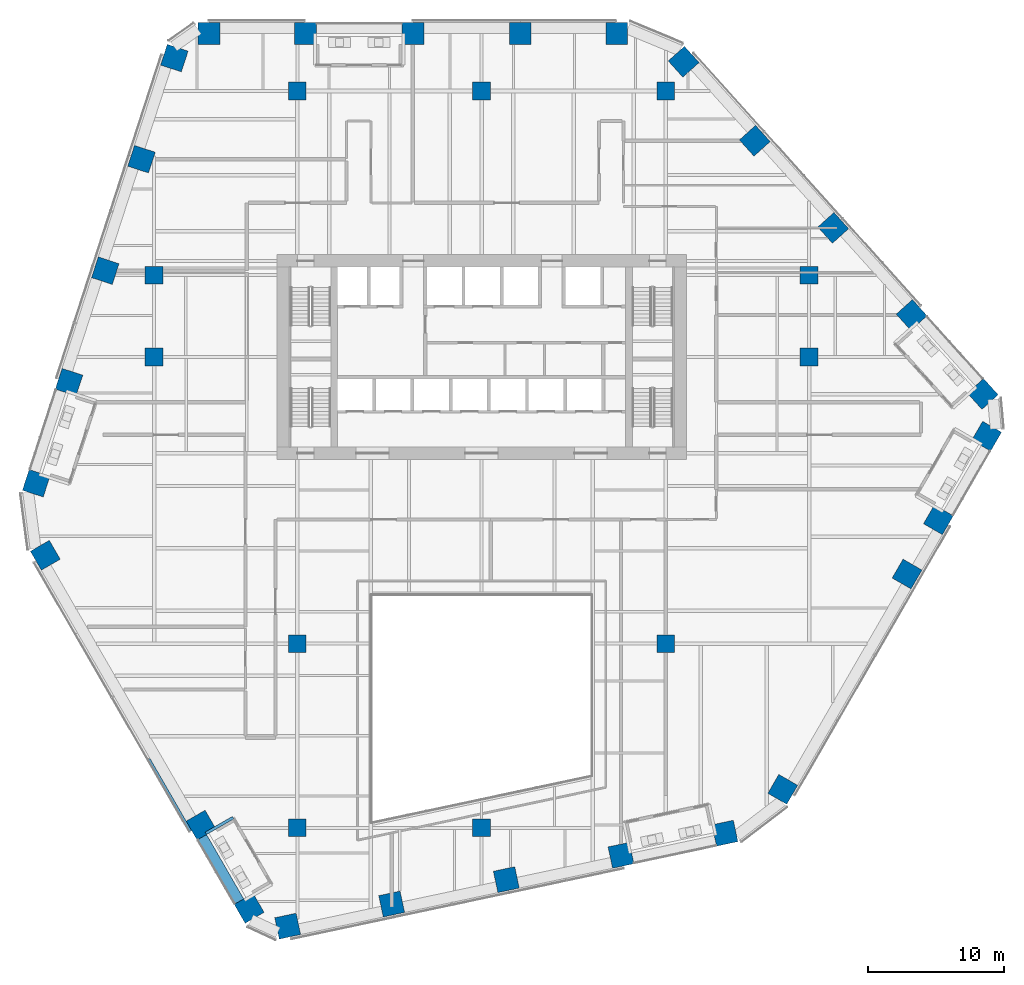
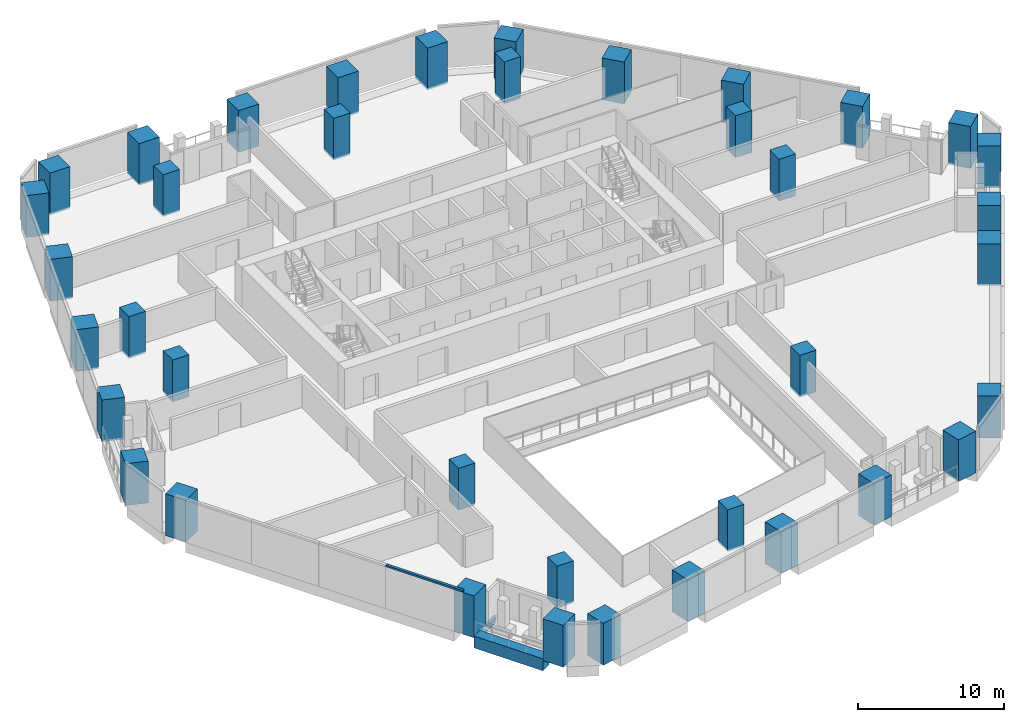
# One storey, part 1 of 31: 38 columns, 2 beams, 1 member, 1 element without a shape of its own.
"""IFC4 building model written with IfcOpenShell, lengths in metres."""

import ifcopenshell
import ifcopenshell.guid

model = None  # the IFC model being written
_history = None  # IfcOwnerHistory: only IFC2X3 demands one
_inside = {}  # id of a spatial element -> (the spatial element, [elements in it])
_under = {}  # id of a project, library or spatial element -> (it, [spatial elements below it])
_declared = {}  # id of a project -> (the project, [libraries it declares])
_typed = {}  # id of a type object -> (the type object, [elements of that type])
_made_of = {}  # id of a material, layer set ... -> (it, [elements and type objects made of it])


def new_model(schema):
    """Start an empty IFC model of exactly this schema.

    Asked for "IFC4X3", IfcOpenShell would pick the latest addendum, in which some entities
    have other attributes; the version numbers below select the first issue.
    IFC2X3 requires an IfcOwnerHistory on every rooted entity: one is made here for all.
    """
    global model, _history
    if schema == "IFC4X3":
        model = ifcopenshell.file(schema_version=(4, 3, 0, 0))
    else:
        model = ifcopenshell.file(schema=schema)
    _inside.clear()
    _under.clear()
    _declared.clear()
    _typed.clear()
    _made_of.clear()
    _history = None
    if model.schema == "IFC2X3":
        org = make("IfcOrganization", Name="unknown")
        user = make(
            "IfcPersonAndOrganization",
            ThePerson=make("IfcPerson", FamilyName="unknown"),
            TheOrganization=org,
        )
        app = make(
            "IfcApplication",
            ApplicationDeveloper=org,
            Version="unknown",
            ApplicationFullName="unknown",
            ApplicationIdentifier="unknown",
        )
        _history = make(
            "IfcOwnerHistory",
            OwningUser=user,
            OwningApplication=app,
            ChangeAction="ADDED",
            CreationDate=0,
        )
    return model


def make(cls, **values):
    """One entity of the class cls with the attributes given. An attribute that is None is left unset."""
    return model.create_entity(
        cls, **{name: value for name, value in values.items() if value is not None}
    )


def rooted(cls, **values):
    """An entity with a GlobalId (a new one), such as an element, a storey or a relation."""
    return make(cls, GlobalId=ifcopenshell.guid.new(), OwnerHistory=_history, **values)


def si_unit(unit_type, name, prefix=None):
    """IfcSIUnit, for example si_unit("LENGTHUNIT", "METRE", prefix="MILLI")."""
    return make("IfcSIUnit", UnitType=unit_type, Prefix=prefix, Name=name)


def assignment(units):
    """IfcUnitAssignment: the units of a project."""
    return None if units is None else make("IfcUnitAssignment", Units=units)


def point(xyz):
    """IfcCartesianPoint."""
    return None if xyz is None else make("IfcCartesianPoint", Coordinates=xyz)


def direction(xyz):
    """IfcDirection."""
    return None if xyz is None else make("IfcDirection", DirectionRatios=xyz)


def frame(location, z_axis=None, x_axis=None):
    """IfcAxis2Placement3D, a coordinate frame: its origin and axes. An axis left out is left unset."""
    return make(
        "IfcAxis2Placement3D",
        Location=point(location),
        Axis=direction(z_axis),
        RefDirection=direction(x_axis),
    )


def frame_2d(location, x_axis=None):
    """IfcAxis2Placement2D, a coordinate frame in the plane: its origin and x axis."""
    return make(
        "IfcAxis2Placement2D", Location=point(location), RefDirection=direction(x_axis)
    )


def origin():
    """The frame at (0, 0, 0) with its axes left unset."""
    return frame((0.0, 0.0, 0.0))


def origin_2d():
    """The frame at (0, 0) in the plane with its x axis left unset."""
    return frame_2d((0.0, 0.0))


def place(relative_to, where):
    """IfcLocalPlacement: puts the frame where relative to a parent placement (None: the world)."""
    return make(
        "IfcLocalPlacement", PlacementRelTo=relative_to, RelativePlacement=where
    )


def context(
    kind, dimensions, precision=None, world=None, true_north=None, identifier=None
):
    """IfcGeometricRepresentationContext, for example the 3D "Model" context."""
    return make(
        "IfcGeometricRepresentationContext",
        ContextIdentifier=identifier,
        ContextType=kind,
        CoordinateSpaceDimension=dimensions,
        Precision=precision,
        WorldCoordinateSystem=world,
        TrueNorth=true_north,
    )


def subcontext(parent, identifier, kind, view, scale=None):
    """IfcGeometricRepresentationSubContext, for example "Body" below "Model"."""
    return make(
        "IfcGeometricRepresentationSubContext",
        ContextIdentifier=identifier,
        ContextType=kind,
        ParentContext=parent,
        TargetScale=scale,
        TargetView=view,
    )


def project(units=None, contexts=None):
    """IfcProject with its units and contexts."""
    return rooted(
        "IfcProject",
        Name="project",
        RepresentationContexts=contexts,
        UnitsInContext=assignment(units),
    )


def spatial(cls, under=None, at=None, **own):
    """A site, building, storey or space (cls), placed at a placement, below another one or the project."""
    s = rooted(cls, ObjectPlacement=at, **own)
    if under is not None:
        _under.setdefault(under.id(), (under, []))[1].append(s)
    return s


def profile(cls, at=None, kind="AREA", **sizes):
    """A parametric profile (cls). Its sizes go by their IFC names, for example OverallWidth=200.0."""
    return make(cls, ProfileType=kind, Position=at, **sizes)


def rectangle(**sizes):
    """IfcRectangleProfileDef."""
    return profile("IfcRectangleProfileDef", **sizes)


def i_section(**sizes):
    """IfcIShapeProfileDef."""
    return profile("IfcIShapeProfileDef", **sizes)


def extrude(swept, where, along, depth):
    """IfcExtrudedAreaSolid: the profile swept, set in the frame where, extruded along a direction by depth."""
    return make(
        "IfcExtrudedAreaSolid",
        SweptArea=swept,
        Position=where,
        ExtrudedDirection=direction(along),
        Depth=depth,
    )


def shape(context_of_items, identifier, shape_type, items):
    """IfcShapeRepresentation: the items that make up one representation, for example the "Body"."""
    return make(
        "IfcShapeRepresentation",
        ContextOfItems=context_of_items,
        RepresentationIdentifier=identifier,
        RepresentationType=shape_type,
        Items=items,
    )


def material(Name=None, Category=None):
    """IfcMaterial."""
    return make("IfcMaterial", Name=Name, Category=Category)


def layer(
    of_material, thickness, ventilated=None, Name=None, Category=None, Priority=None
):
    """IfcMaterialLayer: one layer of a wall or slab, of a material (None: an air gap)."""
    return make(
        "IfcMaterialLayer",
        Material=of_material,
        LayerThickness=thickness,
        IsVentilated=ventilated,
        Name=Name,
        Category=Category,
        Priority=Priority,
    )


def layer_set(layers, Name=None):
    """IfcMaterialLayerSet."""
    return make("IfcMaterialLayerSet", MaterialLayers=layers, LayerSetName=Name)


def material_profile(
    of_material, cross_section, Name=None, Category=None, Priority=None
):
    """IfcMaterialProfile: a cross section and its material."""
    return make(
        "IfcMaterialProfile",
        Name=Name,
        Material=of_material,
        Profile=cross_section,
        Priority=Priority,
        Category=Category,
    )


def profile_set(profiles, Name=None, composite=None):
    """IfcMaterialProfileSet."""
    return make(
        "IfcMaterialProfileSet",
        Name=Name,
        MaterialProfiles=profiles,
        CompositeProfile=composite,
    )


def made_of(thing, what):
    """Note that an element or type object is made of a material, layer set ...; save() writes the relation."""
    if what is not None:
        _made_of.setdefault(what.id(), (what, []))[1].append(thing)
    return thing


def type_object(cls, material=None, **own):
    """A type object (cls), such as IfcWallType, which elements share."""
    return made_of(rooted(cls, **own), material)


def element(
    cls,
    number,
    at=None,
    inside=None,
    cuts=None,
    type_object=None,
    material=None,
    context=None,
    identifier="Body",
    shape_type=None,
    held_by="IfcProductDefinitionShape",
    body=None,
    shapes=None,
    **own,
):
    """One element of the class cls, such as IfcWall. Its Tag is "e" and its number.

    at: its placement. inside: the storey or other place that contains it. cuts: it is an
    opening in that element (IfcRelVoidsElement). A single representation is given by context,
    identifier, shape_type and body (its items); several are given by shapes. held_by: the class
    of the entity that holds the representations. save() writes the other relations.
    """
    e = rooted(cls, Tag="e%d" % number, ObjectPlacement=at, **own)
    if body is not None:
        shapes = [shape(context, identifier, shape_type, body)]
    if shapes is not None:
        e.Representation = make(held_by, Representations=shapes)
    if inside is not None:
        _inside.setdefault(inside.id(), (inside, []))[1].append(e)
    if cuts is not None:
        rooted(
            "IfcRelVoidsElement", RelatingBuildingElement=cuts, RelatedOpeningElement=e
        )
    if type_object is not None:
        _typed.setdefault(type_object.id(), (type_object, []))[1].append(e)
    return made_of(e, material)


def aggregate(whole, parts):
    """IfcRelAggregates: a whole, such as a stair, and the parts it consists of."""
    return rooted("IfcRelAggregates", RelatingObject=whole, RelatedObjects=parts)


def save(model, path):
    """Write the relations noted so far, then the file.

    IfcRelAggregates (storeys below a building ...), IfcRelContainedInSpatialStructure (elements
    in a storey), IfcRelDefinesByType, IfcRelAssociatesMaterial and IfcRelDeclares: one each for
    every whole, place, type object, material and project.
    """
    for whole, parts in _under.values():
        aggregate(whole, parts)
    for where, things in _inside.values():
        rooted(
            "IfcRelContainedInSpatialStructure",
            RelatedElements=things,
            RelatingStructure=where,
        )
    for kind, things in _typed.values():
        rooted("IfcRelDefinesByType", RelatedObjects=things, RelatingType=kind)
    for what, things in _made_of.values():
        rooted("IfcRelAssociatesMaterial", RelatedObjects=things, RelatingMaterial=what)
    for by, libraries in _declared.values():
        rooted("IfcRelDeclares", RelatingContext=by, RelatedDefinitions=libraries)
    model.write(path)


model = new_model("IFC4")

# Units and contexts
model_context = context("Model", 3, precision=1e-05, world=origin(), true_north=direction((0.0, 1.0)))
body_context = subcontext(model_context, "Body", "Model", "MODEL_VIEW")
ifc_project = project(units=[si_unit("LENGTHUNIT", "METRE"), si_unit("AREAUNIT", "SQUARE_METRE"), si_unit("VOLUMEUNIT", "CUBIC_METRE"), si_unit("PLANEANGLEUNIT", "RADIAN"), si_unit("MASSUNIT", "GRAM", prefix="KILO")], contexts=[model_context])

# Site, building, storey
site_placement = place(None, origin())
site = spatial("IfcSite", under=ifc_project, at=site_placement, CompositionType="ELEMENT")
building_placement = place(site_placement, origin())
building = spatial("IfcBuilding", under=site, at=building_placement, Name="Isthmus Gate Tower", CompositionType="ELEMENT")
storey_placement = place(building_placement, frame((0.0, 0.0, 113.5)))
storey = spatial("IfcBuildingStorey", under=building, at=storey_placement, Name="L27", CompositionType="ELEMENT", Elevation=113.5)

# Columns
ifc_material_1 = material(Name="Concrete f'c 70 MPa", Category="concrete")
ifc_material_profile_1 = material_profile(ifc_material_1, rectangle(XDim=1.300048828125, YDim=1.300048828125, at=origin_2d()), Name="RC 1300X1300")
ifc_profile_set_1 = profile_set([ifc_material_profile_1], Name="Concrete f'c 70 MPa")
column_type_1 = type_object("IfcColumnType", Name="RC INTERIOR COLUMN 1300 X 1300", PredefinedType="COLUMN", material=ifc_profile_set_1)
for number, where, z_axis, x_axis, name in (
    (1, (-24.0, 7.5, -0.14990234375), (0.0, 0.0, 1.0), (1.0, 0.0, 0.0), "str-icol-L27-ICA3"),
    (2, (-24.0, 13.5, -0.14990234375), (0.0, 0.0, 1.0), (1.0, 0.0, 0.0), "str-icol-L27-ICA4"),
    (3, (-13.5, -27.0, -0.14990234375), (0.0, 0.0, 1.0), (1.0, 0.0, 0.0), "str-icol-L27-ICB1"),
    (4, (-13.5, -13.5, -0.14990234375), (0.0, 0.0, 1.0), (1.0, 0.0, 0.0), "str-icol-L27-ICB2"),
    (5, (-13.5, 27.0, -0.14990234375), (0.0, 0.0, 1.0), (1.0, 0.0, 0.0), "str-icol-L27-ICB5"),
    (6, (0.0, -27.0, -0.14990234375), (0.0, 0.0, 1.0), (1.0, 0.0, 0.0), "str-icol-L27-ICC1"),
    (7, (0.0, 27.0, -0.14990234375), (0.0, 0.0, 1.0), (1.0, 0.0, 0.0), "str-icol-L27-ICC5"),
    (8, (13.5, -13.5, -0.14990234375), (0.0, 0.0, 1.0), (1.0, 0.0, 0.0), "str-icol-L27-ICD2"),
    (9, (13.5, 27.0, -0.14990234375), (0.0, 0.0, 1.0), (1.0, 0.0, 0.0), "str-icol-L27-ICD5"),
    (10, (24.0, 7.5, -0.14990234375), (0.0, 0.0, 1.0), (1.0, 0.0, 0.0), "str-icol-L27-ICE3"),
    (11, (24.0, 13.5, -0.14990234375), (0.0, 0.0, 1.0), (1.0, 0.0, 0.0), "str-icol-L27-ICE4"),
):
    element("IfcColumn", number, at=place(storey_placement, frame(where, z_axis=z_axis, x_axis=x_axis)), inside=storey, type_object=column_type_1, Name=name, PredefinedType="COLUMN", context=body_context, shape_type="SweptSolid", body=[
        extrude(rectangle(XDim=1.300048828125, YDim=1.300048828125, at=origin_2d()), origin(), (0.0, 0.0, 1.0), 3.5),
    ])
ifc_material_2 = material(Name="Concrete f'c 70 MPa", Category="concrete")
ifc_material_profile_2 = material_profile(ifc_material_2, rectangle(XDim=1.60009765625, YDim=1.60009765625, at=origin_2d()), Name="RC 1600X1600")
ifc_profile_set_2 = profile_set([ifc_material_profile_2], Name="Concrete f'c 70 MPa")
column_type_2 = type_object("IfcColumnType", Name="RC TUBE COLUMN 1600 X 1600", PredefinedType="COLUMN", material=ifc_profile_set_2)
for number, where, z_axis, x_axis, name in (
    (12, (9.90185546875, 31.199951171875, -0.14990234375), (0.0, 0.0, 1.0), (-1.0, 0.0, 0.0), "str-tcol-L27-T1N0"),
    (13, (2.832275390625, 31.199951171875, -0.14990234375), (0.0, 0.0, 1.0), (-1.0, 0.0, 0.0), "str-tcol-L27-T1N1"),
    (14, (-5.037109375, 31.199951171875, -0.14990234375), (0.0, 0.0, 1.0), (-1.0, 0.0, 0.0), "str-tcol-L27-T1N2"),
    (15, (-12.90673828125, 31.199951171875, -0.14990234375), (0.0, 0.0, 1.0), (-1.0, 0.0, 0.0), "str-tcol-L27-T1N3"),
    (16, (-19.976318359375, 31.199951171875, -0.14990234375), (0.0, 0.0, 1.0), (-1.0, 0.0, 0.0), "str-tcol-L27-T1N4"),
    (17, (-22.515380859375, 29.406982421875, -0.14990234375), (0.0, 0.0, 1.0), (-0.309016994375, -0.951056516295, 0.0), "str-tcol-L27-T1NW0"),
    (18, (-24.922607421875, 21.998779296875, -0.14990234375), (0.0, 0.0, 1.0), (-0.309016994375, -0.951056516295, 0.0), "str-tcol-L27-T1NW1"),
    (19, (-27.57666015625, 13.829833984375, -0.14990234375), (0.0, 0.0, 1.0), (-0.309016994375, -0.951056516295, 0.0), "str-tcol-L27-T1NW2"),
    (20, (-30.23095703125, 5.660888671875, -0.14990234375), (0.0, 0.0, 1.0), (-0.309016994375, -0.951056516295, 0.0), "str-tcol-L27-T1NW3"),
    (21, (-32.63818359375, -1.747314453125, -0.14990234375), (0.0, 0.0, 1.0), (-0.309016994375, -0.951056516295, 0.0), "str-tcol-L27-T1NW4"),
    (22, (-31.970947265625, -7.024658203125, -0.14990234375), (0.0, 0.0, 1.0), (0.5, -0.866025403784, 0.0), "str-tcol-L27-T1SW0"),
    (23, (-20.5537109375, -26.800048828125, -0.14990234375), (0.0, 0.0, 1.0), (0.5, -0.866025403784, 0.0), "str-tcol-L27-T1SW2"),
    (24, (-17.031982421875, -32.89990234375, -0.14990234375), (0.0, 0.0, 1.0), (0.5, -0.866025403784, 0.0), "str-tcol-L27-T1SW3"),
    (25, (-14.20947265625, -34.202392578125, -0.14990234375), (0.0, 0.0, 1.0), (0.978147600734, 0.207911690818, 0.0), "str-tcol-L27-T1S0"),
    (26, (-6.59033203125, -32.5830078125, -0.14990234375), (0.0, 0.0, 1.0), (0.978147600734, 0.207911690818, 0.0), "str-tcol-L27-T1S1"),
    (27, (1.811279296875, -30.797119140625, -0.14990234375), (0.0, 0.0, 1.0), (0.978147600734, 0.207911690818, 0.0), "str-tcol-L27-T1S2"),
    (28, (10.213134765625, -29.01123046875, -0.14990234375), (0.0, 0.0, 1.0), (0.978147600734, 0.207911690818, 0.0), "str-tcol-L27-T1S3"),
    (29, (17.832275390625, -27.391845703125, -0.14990234375), (0.0, 0.0, 1.0), (0.978147600734, 0.207911690818, 0.0), "str-tcol-L27-T1S4"),
    (30, (22.069091796875, -24.17529296875, -0.14990234375), (0.0, 0.0, 1.0), (0.5, 0.866025403784, 0.0), "str-tcol-L27-T1SE0"),
    (31, (31.177001953125, -8.39990234375, -0.14990234375), (0.0, 0.0, 1.0), (0.5, 0.866025403784, 0.0), "str-tcol-L27-T1SE1"),
    (32, (33.473388671875, -4.42236328125, -0.14990234375), (0.0, 0.0, 1.0), (0.5, 0.866025403784, 0.0), "str-tcol-L27-T1SE2"),
    (33, (37.008056640625, 1.699951171875, -0.14990234375), (0.0, 0.0, 1.0), (0.5, 0.866025403784, 0.0), "str-tcol-L27-T1SE3"),
    (34, (36.724853515625, 4.79541015625, -0.14990234375), (0.0, 0.0, 1.0), (-0.669130606359, 0.743144825477, 0.0), "str-tcol-L27-T1NE0"),
    (35, (31.5126953125, 10.584228515625, -0.14990234375), (0.0, 0.0, 1.0), (-0.669130606359, 0.743144825477, 0.0), "str-tcol-L27-T1NE1"),
    (36, (25.765380859375, 16.96728515625, -0.14990234375), (0.0, 0.0, 1.0), (-0.669130606359, 0.743144825477, 0.0), "str-tcol-L27-T1NE2"),
    (37, (20.01806640625, 23.350341796875, -0.14990234375), (0.0, 0.0, 1.0), (-0.669130606359, 0.743144825477, 0.0), "str-tcol-L27-T1NE3"),
    (38, (14.805908203125, 29.138916015625, -0.14990234375), (0.0, 0.0, 1.0), (-0.669130606359, 0.743144825477, 0.0), "str-tcol-L27-T1NE4"),
):
    element("IfcColumn", number, at=place(storey_placement, frame(where, z_axis=z_axis, x_axis=x_axis)), inside=storey, type_object=column_type_2, Name=name, PredefinedType="COLUMN", context=body_context, shape_type="SweptSolid", body=[
        extrude(rectangle(XDim=1.60009765625, YDim=1.60009765625, at=origin_2d()), origin(), (0.0, 0.0, 1.0), 3.5),
    ])

# Curtain wall, member
ifc_material_3 = material(Name="Aluminium, pale champagne anodised", Category="aluminium")
ifc_layer = layer(ifc_material_3, 0.199951171875)
ifc_layer_set = layer_set([ifc_layer], Name="CW-1 UNITISED CURTAIN WALL 200 DEEP")
curtain_wall_type = type_object("IfcCurtainWallType", Name="CW-1 UNITISED CURTAIN WALL 200 DEEP", PredefinedType="NOTDEFINED", material=ifc_layer_set)
curtain_wall_placement = place(storey_placement, origin())
curtain_wall = element("IfcCurtainWall", 39, at=curtain_wall_placement, inside=storey, type_object=curtain_wall_type, Name="CW-1 SW L27", PredefinedType="NOTDEFINED")
ifc_material_4 = material(Name="Aluminium, pale champagne anodised", Category="aluminium")
ifc_material_profile_3 = material_profile(ifc_material_4, rectangle(XDim=0.199951171875, YDim=0.14990234375, at=origin_2d()), Name="200x150")
ifc_profile_set_3 = profile_set([ifc_material_profile_3], Name="Aluminium, pale champagne anodised")
member_type = type_object("IfcMemberType", Name="CW-1 TRANSOM 200 X 150", PredefinedType="USERDEFINED", material=ifc_profile_set_3)
member_placement = place(storey_placement, frame((-24.387451171875, -21.959716796875, 3.574951171875), z_axis=(0.500011900272, -0.86601853305, 0.0), x_axis=(0.86601853305, 0.500011900272, 0.0)))
member = element("IfcMember", 40, at=member_placement, type_object=member_type, Name="CW-1 transom", ObjectType="TRANSOM", PredefinedType="USERDEFINED", context=body_context, shape_type="SweptSolid", body=[
    extrude(rectangle(XDim=0.199951171875, YDim=0.14990234375, at=origin_2d()), origin(), (0.0, 0.0, 1.0), 6.108642578125),
])
aggregate(curtain_wall, [member])

# Beams
ifc_material_5 = material(Name="Concrete f'c 70 MPa", Category="concrete")
ifc_material_profile_4 = material_profile(ifc_material_5, rectangle(XDim=0.800048828125, YDim=1.0, at=origin_2d()), Name="RC 800X1000")
ifc_profile_set_4 = profile_set([ifc_material_profile_4], Name="Concrete f'c 70 MPa")
beam_type_1 = type_object("IfcBeamType", Name="RC SPANDREL 800 X 1000", PredefinedType="SPANDREL", material=ifc_profile_set_4)
beam_1_placement = place(storey_placement, frame((-17.7783203125, -32.406982421875, -0.5), z_axis=(-0.499998104561, 0.866026498114, 0.0), x_axis=(-0.866026498114, -0.499998104561, 0.0)))
element("IfcBeam", 41, at=beam_1_placement, inside=storey, type_object=beam_type_1, Name="str-spandrel-L27-15", PredefinedType="SPANDREL", context=body_context, shape_type="SweptSolid", body=[
    extrude(rectangle(XDim=0.800048828125, YDim=1.0, at=origin_2d()), origin(), (0.0, 0.0, 1.0), 5.443359375),
])
ifc_material_6 = material(Name="Structural steel ASTM A992 Gr 50", Category="steel")
ifc_material_profile_5 = material_profile(ifc_material_6, i_section(OverallWidth=0.20947265625, OverallDepth=0.533447265625, WebThickness=0.009521484375, FlangeThickness=0.015869140625, at=origin_2d()), Name="W21X62")
ifc_profile_set_5 = profile_set([ifc_material_profile_5], Name="Structural steel ASTM A992 Gr 50")
beam_type_2 = type_object("IfcBeamType", Name="STEEL TRIMMER W21X62", PredefinedType="BEAM", material=ifc_profile_set_5)
beam_2_placement = place(storey_placement, frame((-20.2060546875, -27.402099609375, -0.416748046875), z_axis=(0.866044474677, 0.49996696679, 0.0), x_axis=(-0.49996696679, 0.866044474677, 0.0)))
element("IfcBeam", 42, at=beam_2_placement, inside=storey, type_object=beam_type_2, Name="str-loggiatrim-L27-03-A", PredefinedType="BEAM", context=body_context, shape_type="SweptSolid", body=[
    extrude(i_section(OverallWidth=0.20947265625, OverallDepth=0.533447265625, WebThickness=0.009521484375, FlangeThickness=0.015869140625, at=origin_2d()), origin(), (0.0, 0.0, 1.0), 2.304931640625),
])

save(model, "model.ifc")
